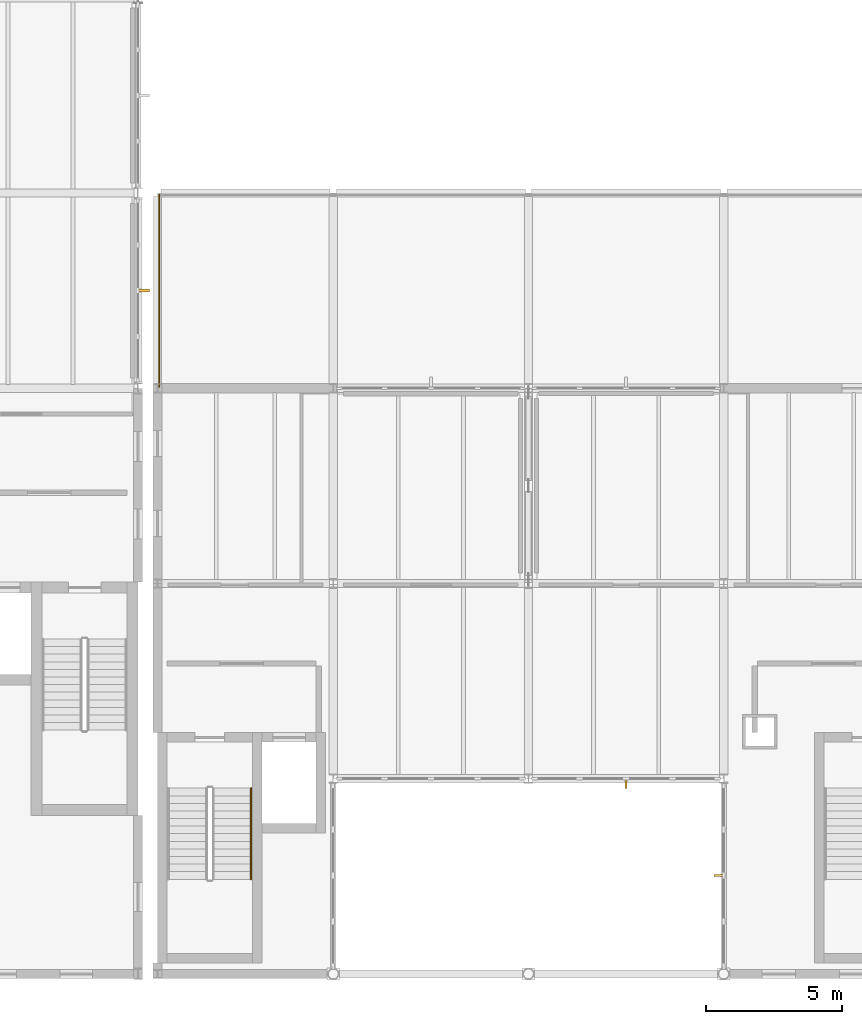
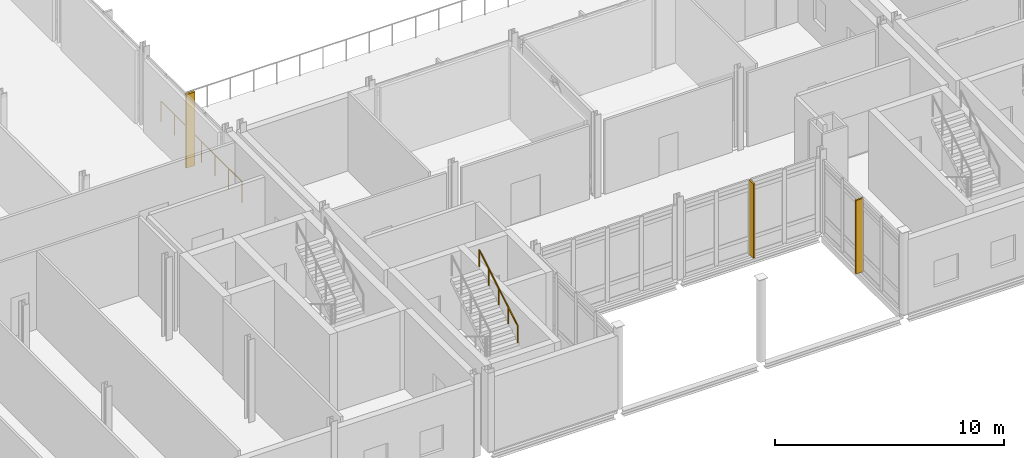
# One storey, part 46 of 53: 3 shading devices, 2 railings.
"""IFC4 building model written with IfcOpenShell, lengths in metres."""

from ifc_helpers import new_model, si_unit, direction, frame, origin, origin_2d, place, context, subcontext, project, spatial, rectangle, circle, extrude, material, layer, layer_set, type_object, element, save


model = new_model("IFC4")

# Units and contexts
model_context = context("Model", 3, precision=1e-05, world=origin(), true_north=direction((0.0, 1.0)))
body_context = subcontext(model_context, "Body", "Model", "MODEL_VIEW")
ifc_project = project(units=[si_unit("LENGTHUNIT", "METRE"), si_unit("AREAUNIT", "SQUARE_METRE"), si_unit("VOLUMEUNIT", "CUBIC_METRE"), si_unit("PLANEANGLEUNIT", "RADIAN"), si_unit("MASSUNIT", "GRAM", prefix="KILO")], contexts=[model_context])

# Site, building, storey
site_placement = place(None, origin())
site = spatial("IfcSite", under=ifc_project, at=site_placement, CompositionType="ELEMENT")
building_placement = place(site_placement, origin())
building = spatial("IfcBuilding", under=site, at=building_placement, Name="Zarrinpeak Specialist Clinic", CompositionType="ELEMENT")
storey_placement = place(building_placement, frame((0.0, 0.0, 14.0)))
storey = spatial("IfcBuildingStorey", under=building, at=storey_placement, Name="L03", CompositionType="ELEMENT", Elevation=14.0)

# Railings
ifc_material_1 = material(Name="Powder-Coated Steel Post-and-Rail Balustrade", Category="steel")
ifc_layer_1 = layer(ifc_material_1, 0.06005859375)
ifc_layer_set_1 = layer_set([ifc_layer_1], Name="Powder-Coated Steel Post-and-Rail Balustrade")
railing_type_1 = type_object("IfcRailingType", Name="RL-BAL110", PredefinedType="BALUSTRADE", material=ifc_layer_set_1)
railing_1_placement = place(storey_placement, frame((29.580078125, 21.659912109375, 0.0)))
element("IfcRailing", 1, at=railing_1_placement, inside=storey, type_object=railing_type_1, Name="L03 V2 Terrace Perimeter Guardrail GR-008", PredefinedType="BALUSTRADE", context=body_context, shape_type="SweptSolid", body=[
    extrude(circle(Radius=0.02392578125, at=origin_2d()), frame((0.0, 0.0, 1.09619140625), z_axis=(0.0, 1.0, 0.0), x_axis=(-1.0, 0.0, 0.0)), (0.0, 0.0, 1.0), 7.080078125),
    extrude(circle(Radius=0.02099609375, at=origin_2d()), origin(), (0.0, 0.0, 1.0), 1.072021484375),
    extrude(circle(Radius=0.02099609375, at=origin_2d()), frame((0.0, 1.179931640625, 0.0)), (0.0, 0.0, 1.0), 1.072021484375),
    extrude(circle(Radius=0.02099609375, at=origin_2d()), frame((0.0, 2.360107421875, 0.0)), (0.0, 0.0, 1.0), 1.072021484375),
    extrude(circle(Radius=0.02099609375, at=origin_2d()), frame((0.0, 3.5400390625, 0.0)), (0.0, 0.0, 1.0), 1.072021484375),
    extrude(circle(Radius=0.02099609375, at=origin_2d()), frame((0.0, 4.719970703125, 0.0)), (0.0, 0.0, 1.0), 1.072021484375),
    extrude(circle(Radius=0.02099609375, at=origin_2d()), frame((0.0, 5.900146484375, 0.0)), (0.0, 0.0, 1.0), 1.072021484375),
    extrude(circle(Radius=0.02099609375, at=origin_2d()), frame((0.0, 7.080078125, 0.0)), (0.0, 0.0, 1.0), 1.072021484375),
])
ifc_material_2 = material(Name="Brushed Stainless Steel 316 Handrail", Category="steel")
ifc_layer_2 = layer(ifc_material_2, 0.050048828125)
ifc_layer_set_2 = layer_set([ifc_layer_2], Name="Brushed Stainless Steel 316 Handrail")
railing_type_2 = type_object("IfcRailingType", Name="RL-HND92", PredefinedType="HANDRAIL", material=ifc_layer_set_2)
railing_2_placement = place(storey_placement, frame((32.969970703125, 3.489990234375, 2.369140625)))
element("IfcRailing", 2, at=railing_2_placement, inside=storey, type_object=railing_type_2, Name="L03 ST-03 stair handrail 2", PredefinedType="HANDRAIL", context=body_context, shape_type="SweptSolid", body=[
    extrude(circle(Radius=0.02392578125, at=origin_2d()), frame((0.0, 0.0, 0.8759765625), z_axis=(0.0, 0.855836976705, 0.517245656632), x_axis=(-1.0, 0.0, 0.0)), (0.0, 0.0, 1.0), 3.926025390625),
    extrude(circle(Radius=0.02099609375, at=origin_2d()), origin(), (0.0, 0.0, 1.0), 0.851806640625),
    extrude(circle(Radius=0.02099609375, at=origin_2d()), frame((0.0, 0.840087890625, 0.5078125)), (0.0, 0.0, 1.0), 0.851806640625),
    extrude(circle(Radius=0.02099609375, at=origin_2d()), frame((0.0, 1.68017578125, 1.015380859375)), (0.0, 0.0, 1.0), 0.851806640625),
    extrude(circle(Radius=0.02099609375, at=origin_2d()), frame((0.0, 2.52001953125, 1.52294921875)), (0.0, 0.0, 1.0), 0.851806640625),
    extrude(circle(Radius=0.02099609375, at=origin_2d()), frame((0.0, 3.360107421875, 2.03076171875)), (0.0, 0.0, 1.0), 0.851806640625),
])

# Shading devices
ifc_material_3 = material(Name="Anodised Bronze Aluminium", Category="aluminium")
shading_device_type_1 = type_object("IfcShadingDeviceType", Name="SHD-FIN-BZ", PredefinedType="JALOUSIE", material=ifc_material_3)
shading_device_1_placement = place(storey_placement, frame((46.800048828125, 7.034912109375, -0.01513671875), z_axis=(0.0, 0.0, 1.0), x_axis=(1.0, 0.0, 0.0)))
element("IfcShadingDevice", 3, at=shading_device_1_placement, inside=storey, type_object=shading_device_type_1, Name="L03 V2 Solar Control Fin FIN-038", PredefinedType="JALOUSIE", context=body_context, shape_type="SweptSolid", body=[
    extrude(rectangle(XDim=0.074951171875, YDim=0.3798828125, at=origin_2d()), origin(), (0.0, 0.0, 1.0), 3.965087890625),
])
shading_device_2_placement = place(storey_placement, frame((50.235107421875, 3.62158203125, -0.01513671875), z_axis=(0.0, 0.0, 1.0), x_axis=(1.0, 0.0, 0.0)))
element("IfcShadingDevice", 4, at=shading_device_2_placement, inside=storey, type_object=shading_device_type_1, Name="L03 V2 Solar Control Fin FIN-039", PredefinedType="JALOUSIE", context=body_context, shape_type="SweptSolid", body=[
    extrude(rectangle(XDim=0.3798828125, YDim=0.074951171875, at=origin_2d()), origin(), (0.0, 0.0, 1.0), 3.9150390625),
])
ifc_material_4 = material(Name="Glulam GL28h", Category="wood")
shading_device_type_2 = type_object("IfcShadingDeviceType", Name="SHD-FIN-GL", PredefinedType="USERDEFINED", material=ifc_material_4)
shading_device_3_placement = place(storey_placement, frame((29.0, 25.199951171875, -0.01513671875), z_axis=(0.0, 0.0, 1.0), x_axis=(1.0, 0.0, 0.0)))
element("IfcShadingDevice", 5, at=shading_device_3_placement, inside=storey, type_object=shading_device_type_2, Name="L03 V1 Cedar-Glulam Courtyard Fin FIN-013", ObjectType="SUNSHADE", PredefinedType="USERDEFINED", context=body_context, shape_type="SweptSolid", body=[
    extrude(rectangle(XDim=0.449951171875, YDim=0.110107421875, at=origin_2d()), origin(), (0.0, 0.0, 1.0), 3.9150390625),
])

save(model, "model.ifc")
